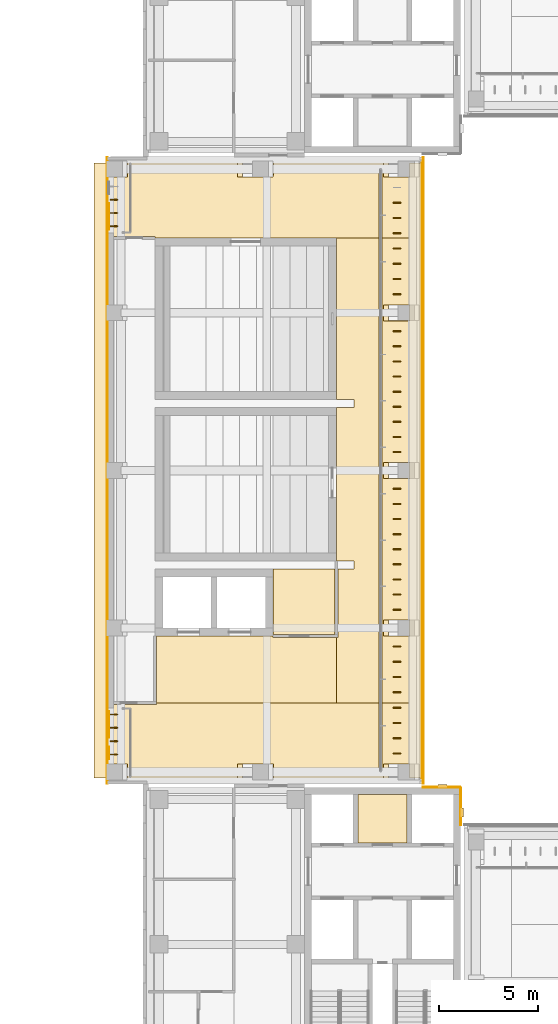
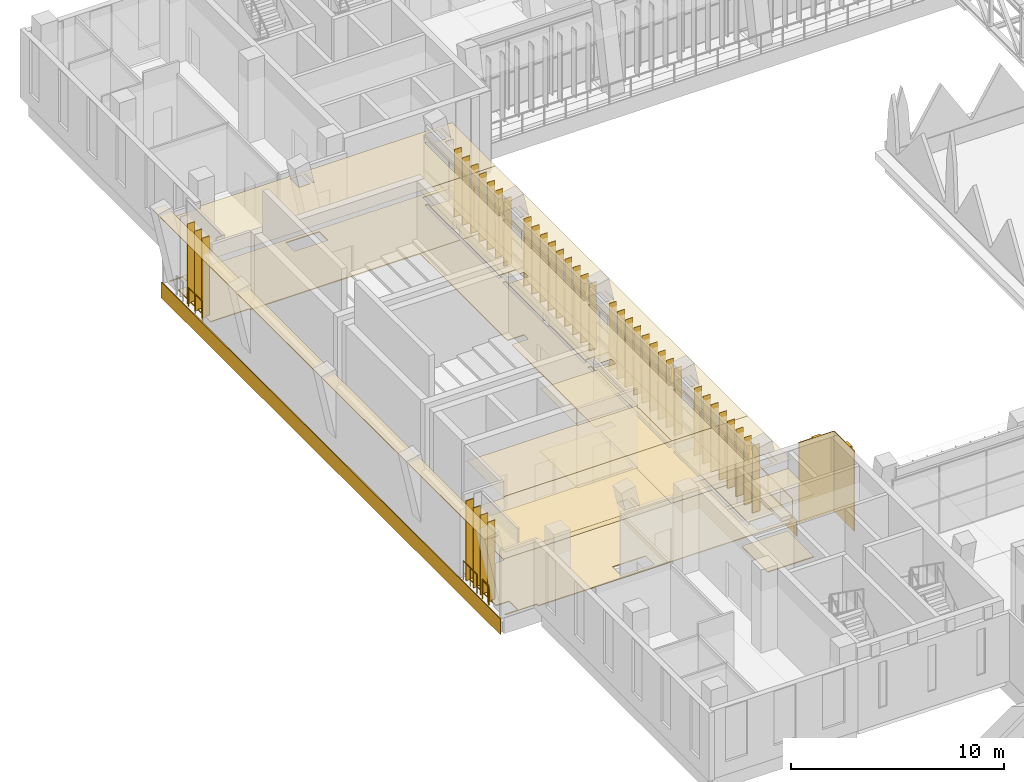
# One storey, part 127 of 141: 40 shading devices, 20 coverings, 4 railings.
"""IFC4 building model written with IfcOpenShell, lengths in metres."""

from ifc_helpers import new_model, si_unit, direction, frame, frame_2d, origin, origin_2d, place, context, subcontext, project, spatial, polyline, rectangle, circle, outline, extrude, material, layer, layer_set, type_object, element, save


model = new_model("IFC4")

# Units and contexts
model_context = context("Model", 3, precision=1e-05, world=origin(), true_north=direction((0.0, 1.0)))
body_context = subcontext(model_context, "Body", "Model", "MODEL_VIEW")
ifc_project = project(units=[si_unit("LENGTHUNIT", "METRE"), si_unit("AREAUNIT", "SQUARE_METRE"), si_unit("VOLUMEUNIT", "CUBIC_METRE"), si_unit("PLANEANGLEUNIT", "RADIAN"), si_unit("MASSUNIT", "GRAM", prefix="KILO")], contexts=[model_context])

# Site, building, storey
site_placement = place(None, origin())
site = spatial("IfcSite", under=ifc_project, at=site_placement, CompositionType="ELEMENT")
building_placement = place(site_placement, origin())
building = spatial("IfcBuilding", under=site, at=building_placement, Name="Lantern Court Media Centre", CompositionType="ELEMENT")
storey_placement = place(building_placement, frame((0.0, 0.0, 9.60009765625)))
storey = spatial("IfcBuildingStorey", under=building, at=storey_placement, Name="L02", CompositionType="ELEMENT", Elevation=9.60009765625)

# Coverings
ifc_material_1 = material(Name="Ceramic tile")
ifc_layer_1 = layer(ifc_material_1, 0.050048828125)
ifc_layer_set_1 = layer_set([ifc_layer_1], Name="Ceramic tile")
covering_type_1 = type_object("IfcCoveringType", Name="Ceramic tile floor finish", PredefinedType="FLOORING", material=ifc_layer_set_1)
covering_1_placement = place(storey_placement, origin())
element("IfcCovering", 1, at=covering_1_placement, inside=storey, type_object=covering_type_1, Name="Accessible WC floor finish", PredefinedType="FLOORING", context=body_context, shape_type="SweptSolid", body=[
    extrude(outline(polyline([(17.52001953125, 75.0), (17.52001953125, 71.679931640625), (14.405029296875, 71.679931640625), (14.405029296875, 75.0), (17.52001953125, 75.0)])), origin(), (0.0, 0.0, 1.0), 0.0498046875),
])
covering_2_placement = place(storey_placement, origin())
element("IfcCovering", 2, at=covering_2_placement, inside=storey, type_object=covering_type_1, Name="Accessible WC floor finish", PredefinedType="FLOORING", context=body_context, shape_type="SweptSolid", body=[
    extrude(outline(polyline([(21.195068359375, 61.10498046875), (18.705078125, 61.10498046875), (18.705078125, 63.544921875), (21.195068359375, 63.544921875), (21.195068359375, 61.10498046875)])), origin(), (0.0, 0.0, 1.0), 0.0498046875),
])

# Railings
ifc_material_2 = material(Name="Powder-coated steel", Category="steel")
railing_type_1 = type_object("IfcRailingType", Name="Floor edge guard 1100", PredefinedType="GUARDRAIL", material=ifc_material_2)
railing_1_placement = place(storey_placement, frame((6.06005859375, 65.35888671875, 0.0)))
element("IfcRailing", 3, at=railing_1_placement, inside=storey, type_object=railing_type_1, Name="L02 edge guard 37", PredefinedType="GUARDRAIL", context=body_context, shape_type="SweptSolid", body=[
    extrude(circle(Radius=0.02392578125, at=origin_2d()), frame((0.0, 0.0, 1.076171875), z_axis=(0.0, 1.0, 0.0), x_axis=(-1.0, 0.0, 0.0)), (0.0, 0.0, 1.0), 0.59912109375),
    extrude(circle(Radius=0.02099609375, at=origin_2d()), origin(), (0.0, 0.0, 1.0), 1.052001953125),
    extrude(circle(Radius=0.02099609375, at=origin_2d()), frame((0.0, 0.59912109375, 0.0)), (0.0, 0.0, 1.0), 1.052001953125),
])
railing_2_placement = place(storey_placement, frame((6.06005859375, 66.4580078125, 0.0)))
element("IfcRailing", 4, at=railing_2_placement, inside=storey, type_object=railing_type_1, Name="L02 edge guard 38", PredefinedType="GUARDRAIL", context=body_context, shape_type="SweptSolid", body=[
    extrude(circle(Radius=0.02392578125, at=origin_2d()), frame((0.0, 0.0, 1.076171875), z_axis=(0.0, 1.0, 0.0), x_axis=(-1.0, 0.0, 0.0)), (0.0, 0.0, 1.0), 1.299072265625),
    extrude(circle(Radius=0.02099609375, at=origin_2d()), origin(), (0.0, 0.0, 1.0), 1.052001953125),
    extrude(circle(Radius=0.02099609375, at=origin_2d()), frame((0.0, 0.6494140625, 0.0)), (0.0, 0.0, 1.0), 1.052001953125),
    extrude(circle(Radius=0.02099609375, at=origin_2d()), frame((0.0, 1.299072265625, 0.0)), (0.0, 0.0, 1.0), 1.052001953125),
])
railing_3_placement = place(storey_placement, frame((6.06005859375, 92.236083984375, 0.0)))
element("IfcRailing", 5, at=railing_3_placement, inside=storey, type_object=railing_type_1, Name="L02 edge guard 39", PredefinedType="GUARDRAIL", context=body_context, shape_type="SweptSolid", body=[
    extrude(circle(Radius=0.02392578125, at=origin_2d()), frame((0.0, 0.0, 1.076171875), z_axis=(0.0, 1.0, 0.0), x_axis=(-1.0, 0.0, 0.0)), (0.0, 0.0, 1.0), 1.298828125),
    extrude(circle(Radius=0.02099609375, at=origin_2d()), origin(), (0.0, 0.0, 1.0), 1.052001953125),
    extrude(circle(Radius=0.02099609375, at=origin_2d()), frame((0.0, 0.6494140625, 0.0)), (0.0, 0.0, 1.0), 1.052001953125),
    extrude(circle(Radius=0.02099609375, at=origin_2d()), frame((0.0, 1.298828125, 0.0)), (0.0, 0.0, 1.0), 1.052001953125),
])

# Coverings
ifc_material_3 = material(Name="White glass-fibre reinforced cement cladding", Category="concrete")
ifc_layer_2 = layer(ifc_material_3, 0.050048828125)
ifc_layer_set_2 = layer_set([ifc_layer_2], Name="White glass-fibre reinforced cement cladding")
covering_type_2 = type_object("IfcCoveringType", Name="Floor-edge band 50", PredefinedType="CLADDING", material=ifc_layer_set_2)
for number, where, z_axis, x_axis, name in (
    (6, (5.97509765625, 64.10009765625, -0.900146484375), (0.0, 0.0, 1.0), (0.0, 1.0, 0.0), "Floor-edge band W outer L02"),
    (7, (22.02490234375, 64.10009765625, -0.900146484375), (0.0, 0.0, 1.0), (0.0, 1.0, 0.0), "Floor-edge band W inner L02"),
):
    element("IfcCovering", number, at=place(storey_placement, frame(where, z_axis=z_axis, x_axis=x_axis)), inside=storey, type_object=covering_type_2, Name=name, PredefinedType="CLADDING", context=body_context, shape_type="SweptSolid", body=[
        extrude(rectangle(XDim=31.7998046875, YDim=0.050048828125, at=frame_2d((15.89990234375, 0.0))), origin(), (0.0, 0.0, 1.0), 0.900146484375),
    ])

# Railing
ifc_material_4 = material(Name="Painted mild steel balustrade", Category="steel")
railing_type_2 = type_object("IfcRailingType", Name="Guard 1100 steel balustrade", PredefinedType="GUARDRAIL", material=ifc_material_4)
railing_4_placement = place(storey_placement, frame((21.949951171875, 64.39990234375, 0.0)))
element("IfcRailing", 8, at=railing_4_placement, inside=storey, type_object=railing_type_2, Name="Ledge guard W L02", PredefinedType="GUARDRAIL", context=body_context, shape_type="SweptSolid", body=[
    extrude(circle(Radius=0.02392578125, at=origin_2d()), frame((0.0, 0.0, 1.076171875), z_axis=(0.0, 1.0, 0.0), x_axis=(-1.0, 0.0, 0.0)), (0.0, 0.0, 1.0), 31.2001953125),
    extrude(circle(Radius=0.02099609375, at=origin_2d()), origin(), (0.0, 0.0, 1.0), 1.052001953125),
    extrude(circle(Radius=0.02099609375, at=origin_2d()), frame((0.0, 1.155517578125, 0.0)), (0.0, 0.0, 1.0), 1.052001953125),
    extrude(circle(Radius=0.02099609375, at=origin_2d()), frame((0.0, 2.31103515625, 0.0)), (0.0, 0.0, 1.0), 1.052001953125),
    extrude(circle(Radius=0.02099609375, at=origin_2d()), frame((0.0, 3.466796875, 0.0)), (0.0, 0.0, 1.0), 1.052001953125),
    extrude(circle(Radius=0.02099609375, at=origin_2d()), frame((0.0, 4.622314453125, 0.0)), (0.0, 0.0, 1.0), 1.052001953125),
    extrude(circle(Radius=0.02099609375, at=origin_2d()), frame((0.0, 5.77783203125, 0.0)), (0.0, 0.0, 1.0), 1.052001953125),
    extrude(circle(Radius=0.02099609375, at=origin_2d()), frame((0.0, 6.933349609375, 0.0)), (0.0, 0.0, 1.0), 1.052001953125),
    extrude(circle(Radius=0.02099609375, at=origin_2d()), frame((0.0, 8.0888671875, 0.0)), (0.0, 0.0, 1.0), 1.052001953125),
    extrude(circle(Radius=0.02099609375, at=origin_2d()), frame((0.0, 9.244384765625, 0.0)), (0.0, 0.0, 1.0), 1.052001953125),
    extrude(circle(Radius=0.02099609375, at=origin_2d()), frame((0.0, 10.400146484375, 0.0)), (0.0, 0.0, 1.0), 1.052001953125),
    extrude(circle(Radius=0.02099609375, at=origin_2d()), frame((0.0, 11.5556640625, 0.0)), (0.0, 0.0, 1.0), 1.052001953125),
    extrude(circle(Radius=0.02099609375, at=origin_2d()), frame((0.0, 12.711181640625, 0.0)), (0.0, 0.0, 1.0), 1.052001953125),
    extrude(circle(Radius=0.02099609375, at=origin_2d()), frame((0.0, 13.86669921875, 0.0)), (0.0, 0.0, 1.0), 1.052001953125),
    extrude(circle(Radius=0.02099609375, at=origin_2d()), frame((0.0, 15.022216796875, 0.0)), (0.0, 0.0, 1.0), 1.052001953125),
    extrude(circle(Radius=0.02099609375, at=origin_2d()), frame((0.0, 16.177978515625, 0.0)), (0.0, 0.0, 1.0), 1.052001953125),
    extrude(circle(Radius=0.02099609375, at=origin_2d()), frame((0.0, 17.33349609375, 0.0)), (0.0, 0.0, 1.0), 1.052001953125),
    extrude(circle(Radius=0.02099609375, at=origin_2d()), frame((0.0, 18.489013671875, 0.0)), (0.0, 0.0, 1.0), 1.052001953125),
    extrude(circle(Radius=0.02099609375, at=origin_2d()), frame((0.0, 19.64453125, 0.0)), (0.0, 0.0, 1.0), 1.052001953125),
    extrude(circle(Radius=0.02099609375, at=origin_2d()), frame((0.0, 20.800048828125, 0.0)), (0.0, 0.0, 1.0), 1.052001953125),
    extrude(circle(Radius=0.02099609375, at=origin_2d()), frame((0.0, 21.955810546875, 0.0)), (0.0, 0.0, 1.0), 1.052001953125),
    extrude(circle(Radius=0.02099609375, at=origin_2d()), frame((0.0, 23.111328125, 0.0)), (0.0, 0.0, 1.0), 1.052001953125),
    extrude(circle(Radius=0.02099609375, at=origin_2d()), frame((0.0, 24.266845703125, 0.0)), (0.0, 0.0, 1.0), 1.052001953125),
    extrude(circle(Radius=0.02099609375, at=origin_2d()), frame((0.0, 25.42236328125, 0.0)), (0.0, 0.0, 1.0), 1.052001953125),
    extrude(circle(Radius=0.02099609375, at=origin_2d()), frame((0.0, 26.577880859375, 0.0)), (0.0, 0.0, 1.0), 1.052001953125),
    extrude(circle(Radius=0.02099609375, at=origin_2d()), frame((0.0, 27.7333984375, 0.0)), (0.0, 0.0, 1.0), 1.052001953125),
    extrude(circle(Radius=0.02099609375, at=origin_2d()), frame((0.0, 28.88916015625, 0.0)), (0.0, 0.0, 1.0), 1.052001953125),
    extrude(circle(Radius=0.02099609375, at=origin_2d()), frame((0.0, 30.044677734375, 0.0)), (0.0, 0.0, 1.0), 1.052001953125),
    extrude(circle(Radius=0.02099609375, at=origin_2d()), frame((0.0, 31.2001953125, 0.0)), (0.0, 0.0, 1.0), 1.052001953125),
])

# Coverings
ifc_material_5 = material(Name="Honed limestone cladding", Category="masonry")
ifc_layer_3 = layer(ifc_material_5, 0.050048828125)
ifc_layer_set_3 = layer_set([ifc_layer_3], Name="Honed limestone cladding")
covering_type_3 = type_object("IfcCoveringType", Name="Limestone cladding panel 50", PredefinedType="CLADDING", material=ifc_layer_set_3)
for number, where, z_axis, x_axis, name in (
    (9, (23.925048828125, 62.0, 0.0), (0.0, 0.0, 1.0), (0.0, 1.0, 0.0), "Limestone joint cladding S-SW L02"),
    (10, (22.0, 63.925048828125, 0.0), (0.0, 0.0, 1.0), (1.0, 0.0, 0.0), "Limestone joint cladding W-SW L02"),
):
    element("IfcCovering", number, at=place(storey_placement, frame(where, z_axis=z_axis, x_axis=x_axis)), inside=storey, type_object=covering_type_3, Name=name, PredefinedType="CLADDING", context=body_context, shape_type="SweptSolid", body=[
        extrude(rectangle(XDim=1.89990234375, YDim=0.050048828125, at=frame_2d((0.949951171875, 0.0))), origin(), (0.0, 0.0, 1.0), 4.579833984375),
    ])
ifc_layer_4 = layer(ifc_material_5, 0.14990234375)
ifc_layer_set_4 = layer_set([ifc_layer_4], Name="Honed limestone cladding")
covering_type_4 = type_object("IfcCoveringType", Name="Limestone pilaster cladding 150", PredefinedType="CLADDING", material=ifc_layer_set_4)
covering_3_placement = place(storey_placement, frame((22.77490234375, 63.97509765625, 0.0), z_axis=(0.0, 0.0, 1.0), x_axis=(1.0, 0.0, 0.0)))
element("IfcCovering", 11, at=covering_3_placement, inside=storey, type_object=covering_type_4, Name="Limestone pilaster rib", PredefinedType="CLADDING", context=body_context, shape_type="SweptSolid", body=[
    extrude(rectangle(XDim=0.4501953125, YDim=0.14990234375, at=frame_2d((0.22509765625, 0.0))), origin(), (0.0, 0.0, 1.0), 4.579833984375),
])
covering_4_placement = place(storey_placement, frame((23.97509765625, 62.425048828125, 0.0), z_axis=(0.0, 0.0, 1.0), x_axis=(0.0, 1.0, 0.0)))
element("IfcCovering", 12, at=covering_4_placement, inside=storey, type_object=covering_type_4, Name="Limestone pilaster rib", PredefinedType="CLADDING", context=body_context, shape_type="SweptSolid", body=[
    extrude(rectangle(XDim=0.449951171875, YDim=0.14990234375, at=frame_2d((0.22509765625, 0.0))), origin(), (0.0, 0.0, 1.0), 4.579833984375),
])
ifc_material_6 = material(Name="Planting substrate")
ifc_layer_5 = layer(ifc_material_6, 0.199951171875)
ifc_layer_set_5 = layer_set([ifc_layer_5], Name="Planting substrate")
covering_type_5 = type_object("IfcCoveringType", Name="Planted ledge build-up 200", PredefinedType="ROOFING", material=ifc_layer_set_5)
covering_5_placement = place(storey_placement, origin())
element("IfcCovering", 13, at=covering_5_placement, inside=storey, type_object=covering_type_5, Name="Planted ledge W L02", PredefinedType="ROOFING", context=body_context, shape_type="SweptSolid", body=[
    extrude(outline(polyline([(21.85009765625, 64.39990234375), (21.85009765625, 95.60009765625), (21.320068359375, 95.60009765625), (21.320068359375, 64.39990234375), (21.85009765625, 64.39990234375)])), origin(), (0.0, 0.0, 1.0), 0.199951171875),
])
ifc_material_7 = material(Name="White fibre cement soffit board")
ifc_layer_6 = layer(ifc_material_7, 0.0400390625)
ifc_layer_set_6 = layer_set([ifc_layer_6], Name="White fibre cement soffit board")
covering_type_6 = type_object("IfcCoveringType", Name="Soffit lining 40", PredefinedType="CLADDING", material=ifc_layer_set_6)
covering_6_placement = place(storey_placement, frame((5.64990234375, 64.39990234375, 4.539794921875), z_axis=(0.0, 0.0, 1.0), x_axis=(0.0, 1.0, 0.0)))
element("IfcCovering", 14, at=covering_6_placement, inside=storey, type_object=covering_type_6, Name="Soffit lining W L02", PredefinedType="CLADDING", context=body_context, shape_type="SweptSolid", body=[
    extrude(rectangle(XDim=31.2001953125, YDim=0.699951171875, at=frame_2d((15.60009765625, 0.0))), origin(), (0.0, 0.0, 1.0), 0.0400390625),
])
ifc_material_8 = material(Name="Mineral fibre ceiling tile")
ifc_layer_7 = layer(ifc_material_8, 0.02001953125)
ifc_layer_set_7 = layer_set([ifc_layer_7], Name="Mineral fibre ceiling tile")
covering_type_7 = type_object("IfcCoveringType", Name="Suspended ceiling tile", PredefinedType="CEILING", material=ifc_layer_set_7)
covering_7_placement = place(storey_placement, frame((0.0, 0.0, 3.599853515625)))
element("IfcCovering", 15, at=covering_7_placement, inside=storey, type_object=covering_type_7, Name="End Lobby ceiling", PredefinedType="CEILING", context=body_context, shape_type="SweptSolid", body=[
    extrude(outline(polyline([(21.699951171875, 68.199951171875), (21.699951171875, 64.10009765625), (8.00048828125, 64.10009765625), (8.0, 64.240478515625), (6.300048828125, 64.240478515625), (6.300537109375, 68.199951171875), (6.304931640625, 68.119384765625), (8.47998046875, 68.119384765625), (8.48046875, 68.199951171875), (19.7744140625, 68.199951171875), (19.77490234375, 64.8994140625), (19.925537109375, 64.89990234375), (19.925537109375, 68.199951171875), (21.699951171875, 68.199951171875)]), holes=[polyline([(21.0478515625, 64.299560546875), (21.04833984375, 65.10009765625), (21.0, 65.1005859375), (20.99951171875, 64.300048828125), (21.0478515625, 64.299560546875)]), polyline([(20.800537109375, 65.10009765625), (20.24755859375, 65.100341796875), (20.24755859375, 64.299560546875), (20.800537109375, 64.2998046875), (20.800537109375, 65.10009765625)]), polyline([(13.64794921875, 64.299560546875), (13.6484375, 65.10009765625), (13.599853515625, 65.1005859375), (13.599609375, 64.300048828125), (13.64794921875, 64.299560546875)]), polyline([(13.400390625, 65.10009765625), (12.847412109375, 65.100341796875), (12.84765625, 64.299560546875), (13.400390625, 64.2998046875), (13.400390625, 65.10009765625)])]), origin(), (0.0, 0.0, 1.0), 0.02001953125),
])
covering_8_placement = place(storey_placement, frame((0.0, 0.0, 3.599853515625)))
element("IfcCovering", 16, at=covering_8_placement, inside=storey, type_object=covering_type_7, Name="End Lobby ceiling", PredefinedType="CEILING", context=body_context, shape_type="SweptSolid", body=[
    extrude(outline(polyline([(21.699951171875, 95.89990234375), (21.699951171875, 91.800048828125), (19.925537109375, 91.800048828125), (19.925048828125, 95.1005859375), (19.7744140625, 95.10009765625), (19.7744140625, 91.800048828125), (8.400390625, 91.800537109375), (8.39990234375, 91.880615234375), (6.304931640625, 91.880615234375), (6.300537109375, 91.800048828125), (6.300048828125, 95.759521484375), (8.0, 95.759521484375), (8.00048828125, 95.89990234375), (21.699951171875, 95.89990234375)]), holes=[polyline([(21.0478515625, 94.8994140625), (21.04833984375, 95.699951171875), (21.0, 95.700439453125), (20.99951171875, 94.89990234375), (21.0478515625, 94.8994140625)]), polyline([(20.800537109375, 95.699951171875), (20.24755859375, 95.7001953125), (20.24755859375, 94.899658203125), (20.800537109375, 94.899658203125), (20.800537109375, 95.699951171875)]), polyline([(13.64794921875, 94.8994140625), (13.6484375, 95.699951171875), (13.599853515625, 95.700439453125), (13.599609375, 94.89990234375), (13.64794921875, 94.8994140625)]), polyline([(13.400390625, 95.699951171875), (12.847412109375, 95.7001953125), (12.84765625, 94.899658203125), (13.400390625, 94.899658203125), (13.400390625, 95.699951171875)])]), origin(), (0.0, 0.0, 1.0), 0.02001953125),
])
covering_9_placement = place(storey_placement, frame((0.0, 0.0, 3.599853515625)))
element("IfcCovering", 17, at=covering_9_placement, inside=storey, type_object=covering_type_7, Name="Lift Lobby ceiling", PredefinedType="CEILING", context=body_context, shape_type="SweptSolid", body=[
    extrude(outline(polyline([(17.60009765625, 68.199951171875), (8.48046875, 68.199951171875), (8.48046875, 71.594970703125), (8.39990234375, 71.599609375), (14.3994140625, 71.599609375), (14.39990234375, 71.5244140625), (17.60009765625, 71.5244140625), (17.60009765625, 68.199951171875)])), origin(), (0.0, 0.0, 1.0), 0.02001953125),
])
covering_10_placement = place(storey_placement, frame((0.0, 0.0, 3.599853515625)))
element("IfcCovering", 18, at=covering_10_placement, inside=storey, type_object=covering_type_7, Name="Accessible WC ceiling", PredefinedType="CEILING", context=body_context, shape_type="SweptSolid", body=[
    extrude(outline(polyline([(17.5244140625, 75.0), (17.5244140625, 71.675537109375), (14.400390625, 71.675537109375), (14.400390625, 75.0), (17.5244140625, 75.0)])), origin(), (0.0, 0.0, 1.0), 0.02001953125),
])
covering_11_placement = place(storey_placement, frame((0.0, 0.0, 3.599853515625)))
element("IfcCovering", 19, at=covering_11_placement, inside=storey, type_object=covering_type_7, Name="Cinema Lobby ceiling", PredefinedType="CEILING", context=body_context, shape_type="SweptSolid", body=[
    extrude(outline(polyline([(17.60009765625, 68.199951171875), (17.60009765625, 71.5244140625), (17.675537109375, 71.52490234375), (17.675537109375, 75.0), (18.5, 75.0), (18.5, 75.39990234375), (17.6005859375, 75.400390625), (17.6005859375, 83.199951171875), (18.5, 83.199951171875), (18.5, 83.60009765625), (17.6005859375, 83.60009765625), (17.6005859375, 91.800048828125), (19.7744140625, 91.800048828125), (19.77490234375, 88.199462890625), (19.925537109375, 88.199951171875), (19.925537109375, 91.800048828125), (21.699951171875, 91.800048828125), (21.699951171875, 68.199951171875), (19.925537109375, 68.199951171875), (19.925048828125, 71.800537109375), (19.7744140625, 71.800048828125), (19.7744140625, 68.199951171875), (17.60009765625, 68.199951171875)]), holes=[polyline([(21.0478515625, 87.599609375), (21.04833984375, 88.400146484375), (21.0, 88.400390625), (20.99951171875, 87.599853515625), (21.0478515625, 87.599609375)]), polyline([(21.0478515625, 79.599609375), (21.04833984375, 80.400146484375), (21.0, 80.400390625), (20.99951171875, 79.599853515625), (21.0478515625, 79.599609375)]), polyline([(21.0478515625, 71.599609375), (21.04833984375, 72.400146484375), (21.0, 72.400390625), (20.99951171875, 71.599853515625), (21.0478515625, 71.599609375)]), polyline([(20.800537109375, 72.39990234375), (20.24755859375, 72.400390625), (20.24755859375, 71.599609375), (20.800537109375, 71.599609375), (20.800537109375, 72.39990234375)]), polyline([(20.800537109375, 80.39990234375), (20.24755859375, 80.400390625), (20.24755859375, 79.599609375), (20.800537109375, 79.599609375), (20.800537109375, 80.39990234375)]), polyline([(20.800537109375, 88.39990234375), (20.24755859375, 88.400390625), (20.24755859375, 87.599609375), (20.800537109375, 87.599609375), (20.800537109375, 88.39990234375)]), polyline([(19.7744140625, 72.199951171875), (19.925537109375, 72.199951171875), (19.925048828125, 79.800537109375), (19.7744140625, 79.800048828125), (19.7744140625, 72.199951171875)]), polyline([(19.7744140625, 80.199951171875), (19.925537109375, 80.199951171875), (19.925048828125, 87.800537109375), (19.7744140625, 87.800048828125), (19.7744140625, 80.199951171875)])]), origin(), (0.0, 0.0, 1.0), 0.02001953125),
])
covering_12_placement = place(storey_placement, frame((0.0, 0.0, 3.599853515625)))
element("IfcCovering", 20, at=covering_12_placement, inside=storey, type_object=covering_type_7, Name="Accessible WC ceiling", PredefinedType="CEILING", context=body_context, shape_type="SweptSolid", body=[
    extrude(outline(polyline([(21.199462890625, 61.1005859375), (18.700439453125, 61.1005859375), (18.700439453125, 63.549560546875), (21.199462890625, 63.549560546875), (21.199462890625, 61.1005859375)])), origin(), (0.0, 0.0, 1.0), 0.02001953125),
])
ifc_material_9 = material(Name="Terrazzo")
ifc_layer_8 = layer(ifc_material_9, 0.050048828125)
ifc_layer_set_8 = layer_set([ifc_layer_8], Name="Terrazzo")
covering_type_8 = type_object("IfcCoveringType", Name="Terrazzo floor finish", PredefinedType="FLOORING", material=ifc_layer_set_8)
covering_13_placement = place(storey_placement, origin())
element("IfcCovering", 21, at=covering_13_placement, inside=storey, type_object=covering_type_8, Name="End Lobby floor finish", PredefinedType="FLOORING", context=body_context, shape_type="SweptSolid", body=[
    extrude(outline(polyline([(21.699951171875, 64.10009765625), (8.0048828125, 64.10009765625), (8.00048828125, 64.244873046875), (6.300048828125, 64.2451171875), (6.300048828125, 64.294921875), (7.0048828125, 64.300048828125), (7.00390625, 65.103271484375), (6.300048828125, 65.10498046875), (6.304931640625, 68.114990234375), (8.47998046875, 68.114990234375), (8.485107421875, 68.199951171875), (19.77001953125, 68.199951171875), (19.77001953125, 64.89990234375), (19.925048828125, 64.89501953125), (19.929931640625, 68.199951171875), (21.699951171875, 68.199951171875), (21.699951171875, 65.10498046875), (19.9951171875, 65.10009765625), (19.99755859375, 64.295654296875), (21.699951171875, 64.294921875), (21.699951171875, 64.10009765625)]), holes=[polyline([(12.594970703125, 64.300048828125), (14.40185546875, 64.29541015625), (14.404541015625, 65.101806640625), (12.59814453125, 65.104736328125), (12.594970703125, 64.300048828125)])]), origin(), (0.0, 0.0, 1.0), 0.0498046875),
])
covering_14_placement = place(storey_placement, origin())
element("IfcCovering", 22, at=covering_14_placement, inside=storey, type_object=covering_type_8, Name="End Lobby floor finish", PredefinedType="FLOORING", context=body_context, shape_type="SweptSolid", body=[
    extrude(outline(polyline([(21.699951171875, 91.800048828125), (19.929931640625, 91.800048828125), (19.925048828125, 95.10498046875), (19.77001953125, 95.10009765625), (19.77001953125, 91.800048828125), (8.405029296875, 91.804931640625), (8.39990234375, 91.885009765625), (6.304931640625, 91.885009765625), (6.300048828125, 94.89501953125), (7.00390625, 94.896728515625), (7.0048828125, 95.699951171875), (6.300048828125, 95.705078125), (6.300048828125, 95.7548828125), (8.00048828125, 95.755126953125), (8.0048828125, 95.89990234375), (21.699951171875, 95.89990234375), (21.699951171875, 95.705078125), (19.9951171875, 95.699951171875), (19.998046875, 94.895263671875), (21.699951171875, 94.89501953125), (21.699951171875, 91.800048828125)]), holes=[polyline([(12.594970703125, 94.89990234375), (14.40185546875, 94.895263671875), (14.404541015625, 95.701904296875), (12.59814453125, 95.70458984375), (12.594970703125, 94.89990234375)])]), origin(), (0.0, 0.0, 1.0), 0.0498046875),
])
covering_15_placement = place(storey_placement, origin())
element("IfcCovering", 23, at=covering_15_placement, inside=storey, type_object=covering_type_8, Name="Lift Lobby floor finish", PredefinedType="FLOORING", context=body_context, shape_type="SweptSolid", body=[
    extrude(outline(polyline([(17.60009765625, 68.199951171875), (8.485107421875, 68.199951171875), (8.485107421875, 71.594970703125), (14.39501953125, 71.594970703125), (14.39990234375, 71.52001953125), (17.60009765625, 71.52001953125), (17.60009765625, 68.199951171875)])), origin(), (0.0, 0.0, 1.0), 0.0498046875),
])
covering_16_placement = place(storey_placement, origin())
element("IfcCovering", 24, at=covering_16_placement, inside=storey, type_object=covering_type_8, Name="Cinema Lobby floor finish", PredefinedType="FLOORING", context=body_context, shape_type="SweptSolid", body=[
    extrude(outline(polyline([(17.60009765625, 68.199951171875), (17.60009765625, 71.52001953125), (17.679931640625, 71.52490234375), (17.679931640625, 75.0), (18.5, 75.0), (18.5, 75.39990234375), (17.60498046875, 75.405029296875), (17.60498046875, 83.199951171875), (18.5, 83.199951171875), (18.5, 83.60009765625), (17.60498046875, 83.60009765625), (17.60498046875, 91.800048828125), (19.77001953125, 91.800048828125), (19.77490234375, 88.195068359375), (19.929931640625, 88.199951171875), (19.929931640625, 91.800048828125), (21.699951171875, 91.800048828125), (21.699951171875, 88.405029296875), (19.9951171875, 88.39990234375), (19.998046875, 87.595458984375), (21.699951171875, 87.594970703125), (21.699951171875, 80.405029296875), (19.9951171875, 80.39990234375), (19.998046875, 79.595458984375), (21.699951171875, 79.594970703125), (21.699951171875, 72.405029296875), (19.9951171875, 72.39990234375), (19.998046875, 71.595458984375), (21.699951171875, 71.594970703125), (21.699951171875, 68.199951171875), (19.929931640625, 68.199951171875), (19.925048828125, 71.804931640625), (19.77001953125, 71.800048828125), (19.77001953125, 68.199951171875), (17.60009765625, 68.199951171875)]), holes=[polyline([(19.77001953125, 80.199951171875), (19.929931640625, 80.199951171875), (19.925048828125, 87.804931640625), (19.77001953125, 87.800048828125), (19.77001953125, 80.199951171875)]), polyline([(19.77001953125, 72.199951171875), (19.929931640625, 72.199951171875), (19.925048828125, 79.804931640625), (19.77001953125, 79.800048828125), (19.77001953125, 72.199951171875)])]), origin(), (0.0, 0.0, 1.0), 0.0498046875),
])

# Shading devices
ifc_material_10 = material(Name="Bronze anodised aluminium louvre", Category="aluminium")
ifc_layer_9 = layer(ifc_material_10, 0.0400390625)
ifc_layer_set_9 = layer_set([ifc_layer_9], Name="Bronze anodised aluminium louvre")
shading_device_type_1 = type_object("IfcShadingDeviceType", Name="Vertical louvre 40x400 full storey", PredefinedType="USERDEFINED", material=ifc_layer_set_9)
for number, where, z_axis, x_axis, name in (
    (25, (6.320068359375, 65.58740234375, -0.000244140625), (0.0, 0.0, 1.0), (1.0, 0.0, 0.0), "Vertical louvre W outer L02"),
    (26, (6.320068359375, 66.262451171875, -0.000244140625), (0.0, 0.0, 1.0), (1.0, 0.0, 0.0), "Vertical louvre W outer L02"),
    (27, (6.320068359375, 66.9375, -0.000244140625), (0.0, 0.0, 1.0), (1.0, 0.0, 0.0), "Vertical louvre W outer L02"),
    (28, (6.320068359375, 67.612548828125, -0.000244140625), (0.0, 0.0, 1.0), (1.0, 0.0, 0.0), "Vertical louvre W outer L02"),
    (29, (6.320068359375, 92.387451171875, -0.000244140625), (0.0, 0.0, 1.0), (1.0, 0.0, 0.0), "Vertical louvre W outer L02"),
    (30, (6.320068359375, 93.0625, -0.000244140625), (0.0, 0.0, 1.0), (1.0, 0.0, 0.0), "Vertical louvre W outer L02"),
    (31, (6.320068359375, 93.737548828125, -0.000244140625), (0.0, 0.0, 1.0), (1.0, 0.0, 0.0), "Vertical louvre W outer L02"),
):
    element("IfcShadingDevice", number, at=place(storey_placement, frame(where, z_axis=z_axis, x_axis=x_axis)), inside=storey, type_object=shading_device_type_1, Name=name, ObjectType="VERTICAL LOUVRE", PredefinedType="USERDEFINED", context=body_context, shape_type="SweptSolid", body=[
        extrude(rectangle(XDim=0.39990234375, YDim=0.0400390625, at=origin_2d()), origin(), (0.0, 0.0, 1.0), 4.580078125),
    ])
ifc_layer_10 = layer(ifc_material_10, 0.0400390625)
ifc_layer_set_10 = layer_set([ifc_layer_10], Name="Bronze anodised aluminium louvre")
shading_device_type_2 = type_object("IfcShadingDeviceType", Name="Vertical louvre 40x400 under beam", PredefinedType="USERDEFINED", material=ifc_layer_set_10)
for number, where, z_axis, x_axis, name in (
    (32, (20.679931640625, 65.637451171875, 0.0), (0.0, 0.0, 1.0), (1.0, 0.0, 0.0), "Vertical louvre W inner L02"),
    (33, (20.679931640625, 66.41259765625, 0.0), (0.0, 0.0, 1.0), (1.0, 0.0, 0.0), "Vertical louvre W inner L02"),
    (34, (20.679931640625, 67.1875, 0.0), (0.0, 0.0, 1.0), (1.0, 0.0, 0.0), "Vertical louvre W inner L02"),
    (35, (20.679931640625, 67.96240234375, 0.0), (0.0, 0.0, 1.0), (1.0, 0.0, 0.0), "Vertical louvre W inner L02"),
    (36, (20.679931640625, 68.737548828125, 0.0), (0.0, 0.0, 1.0), (1.0, 0.0, 0.0), "Vertical louvre W inner L02"),
    (37, (20.679931640625, 69.512451171875, 0.0), (0.0, 0.0, 1.0), (1.0, 0.0, 0.0), "Vertical louvre W inner L02"),
    (38, (20.679931640625, 70.28759765625, 0.0), (0.0, 0.0, 1.0), (1.0, 0.0, 0.0), "Vertical louvre W inner L02"),
    (39, (20.679931640625, 71.0625, 0.0), (0.0, 0.0, 1.0), (1.0, 0.0, 0.0), "Vertical louvre W inner L02"),
    (40, (20.679931640625, 72.933349609375, 0.0), (0.0, 0.0, 1.0), (1.0, 0.0, 0.0), "Vertical louvre W inner L02"),
    (41, (20.679931640625, 73.699951171875, 0.0), (0.0, 0.0, 1.0), (1.0, 0.0, 0.0), "Vertical louvre W inner L02"),
    (42, (20.679931640625, 74.466552734375, 0.0), (0.0, 0.0, 1.0), (1.0, 0.0, 0.0), "Vertical louvre W inner L02"),
    (43, (20.679931640625, 75.2333984375, 0.0), (0.0, 0.0, 1.0), (1.0, 0.0, 0.0), "Vertical louvre W inner L02"),
    (44, (20.679931640625, 76.0, 0.0), (0.0, 0.0, 1.0), (1.0, 0.0, 0.0), "Vertical louvre W inner L02"),
    (45, (20.679931640625, 76.7666015625, 0.0), (0.0, 0.0, 1.0), (1.0, 0.0, 0.0), "Vertical louvre W inner L02"),
    (46, (20.679931640625, 77.533447265625, 0.0), (0.0, 0.0, 1.0), (1.0, 0.0, 0.0), "Vertical louvre W inner L02"),
    (47, (20.679931640625, 78.300048828125, 0.0), (0.0, 0.0, 1.0), (1.0, 0.0, 0.0), "Vertical louvre W inner L02"),
    (48, (20.679931640625, 79.066650390625, 0.0), (0.0, 0.0, 1.0), (1.0, 0.0, 0.0), "Vertical louvre W inner L02"),
    (49, (20.679931640625, 80.933349609375, 0.0), (0.0, 0.0, 1.0), (1.0, 0.0, 0.0), "Vertical louvre W inner L02"),
    (50, (20.679931640625, 81.699951171875, 0.0), (0.0, 0.0, 1.0), (1.0, 0.0, 0.0), "Vertical louvre W inner L02"),
    (51, (20.679931640625, 82.466552734375, 0.0), (0.0, 0.0, 1.0), (1.0, 0.0, 0.0), "Vertical louvre W inner L02"),
    (52, (20.679931640625, 83.2333984375, 0.0), (0.0, 0.0, 1.0), (1.0, 0.0, 0.0), "Vertical louvre W inner L02"),
    (53, (20.679931640625, 84.0, 0.0), (0.0, 0.0, 1.0), (1.0, 0.0, 0.0), "Vertical louvre W inner L02"),
    (54, (20.679931640625, 84.7666015625, 0.0), (0.0, 0.0, 1.0), (1.0, 0.0, 0.0), "Vertical louvre W inner L02"),
    (55, (20.679931640625, 85.533447265625, 0.0), (0.0, 0.0, 1.0), (1.0, 0.0, 0.0), "Vertical louvre W inner L02"),
    (56, (20.679931640625, 86.300048828125, 0.0), (0.0, 0.0, 1.0), (1.0, 0.0, 0.0), "Vertical louvre W inner L02"),
    (57, (20.679931640625, 87.066650390625, 0.0), (0.0, 0.0, 1.0), (1.0, 0.0, 0.0), "Vertical louvre W inner L02"),
    (58, (20.679931640625, 88.9375, 0.0), (0.0, 0.0, 1.0), (1.0, 0.0, 0.0), "Vertical louvre W inner L02"),
    (59, (20.679931640625, 89.71240234375, 0.0), (0.0, 0.0, 1.0), (1.0, 0.0, 0.0), "Vertical louvre W inner L02"),
    (60, (20.679931640625, 90.487548828125, 0.0), (0.0, 0.0, 1.0), (1.0, 0.0, 0.0), "Vertical louvre W inner L02"),
    (61, (20.679931640625, 91.262451171875, 0.0), (0.0, 0.0, 1.0), (1.0, 0.0, 0.0), "Vertical louvre W inner L02"),
    (62, (20.679931640625, 92.03759765625, 0.0), (0.0, 0.0, 1.0), (1.0, 0.0, 0.0), "Vertical louvre W inner L02"),
    (63, (20.679931640625, 92.8125, 0.0), (0.0, 0.0, 1.0), (1.0, 0.0, 0.0), "Vertical louvre W inner L02"),
    (64, (20.679931640625, 93.58740234375, 0.0), (0.0, 0.0, 1.0), (1.0, 0.0, 0.0), "Vertical louvre W inner L02"),
):
    element("IfcShadingDevice", number, at=place(storey_placement, frame(where, z_axis=z_axis, x_axis=x_axis)), inside=storey, type_object=shading_device_type_2, Name=name, ObjectType="VERTICAL LOUVRE", PredefinedType="USERDEFINED", context=body_context, shape_type="SweptSolid", body=[
        extrude(rectangle(XDim=0.39990234375, YDim=0.0400390625, at=origin_2d()), origin(), (0.0, 0.0, 1.0), 3.89990234375),
    ])

save(model, "model.ifc")
